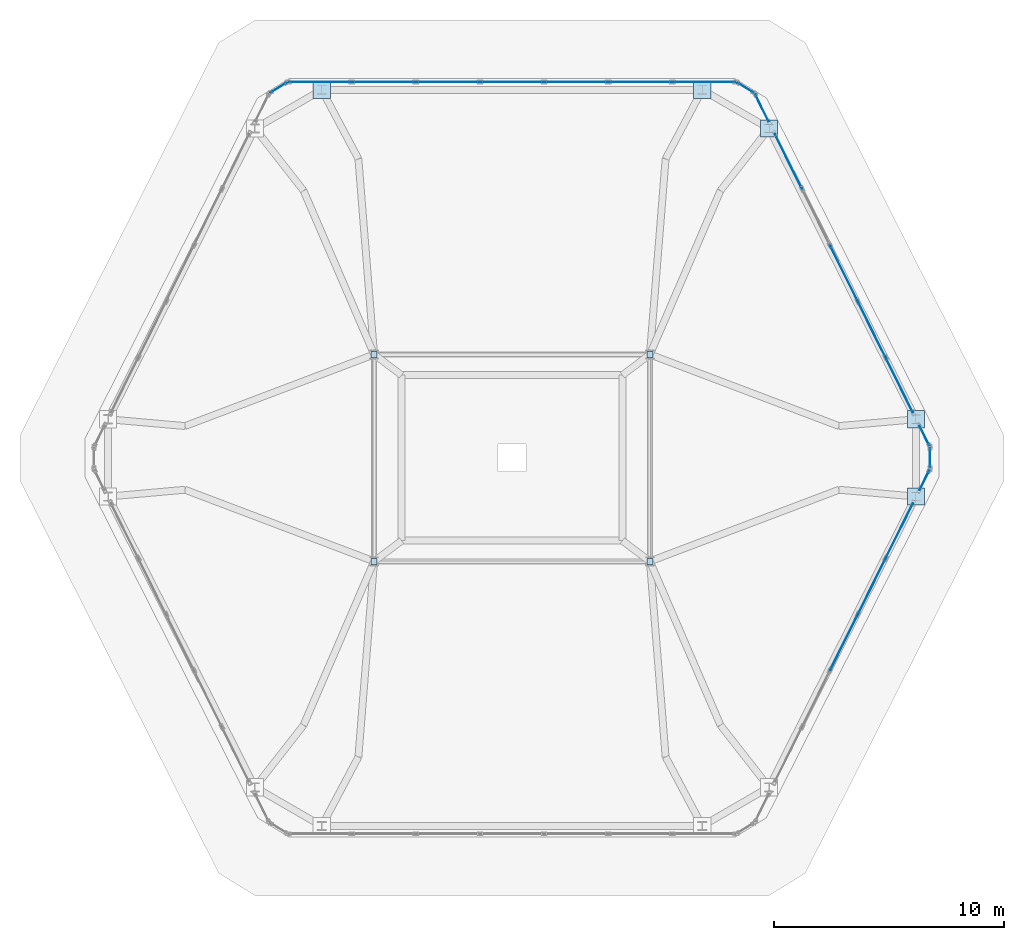
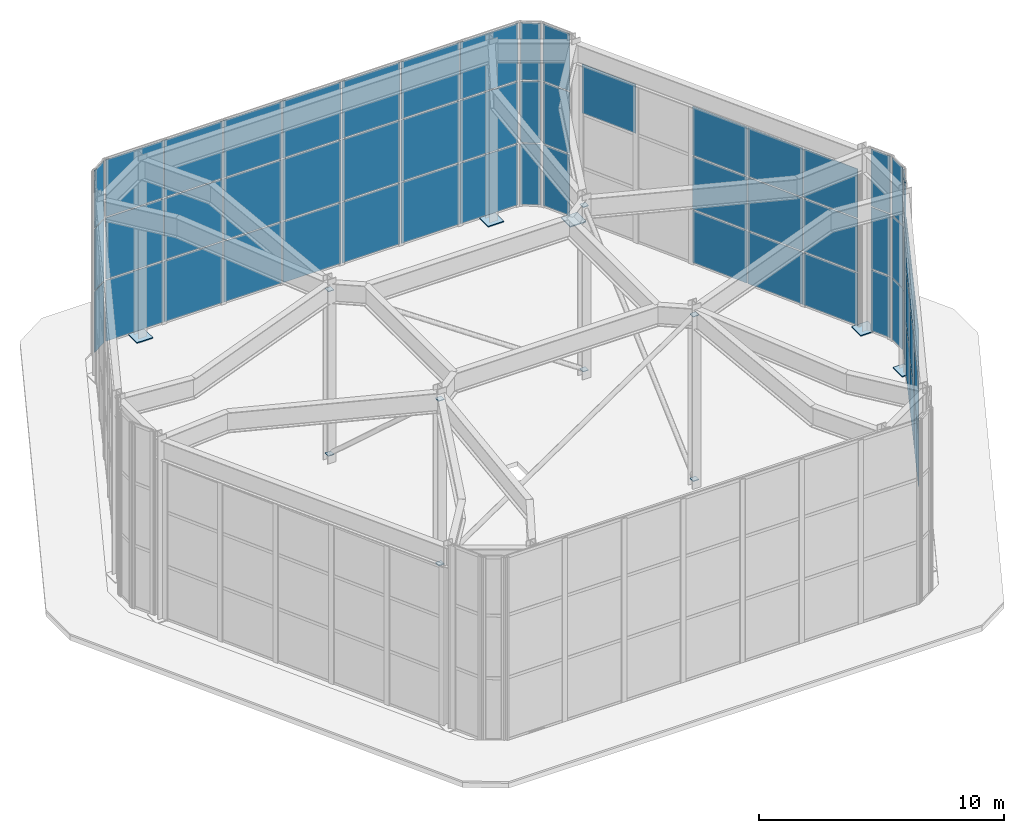
# One storey, part 11 of 12: 71 plates, 9 elements without a shape of their own.
"""IFC4 building model written with IfcOpenShell, lengths in metres."""

from ifc_helpers import new_model, si_unit, direction, frame, origin, origin_2d, place, context, subcontext, project, spatial, rectangle, extrude, material, layer, layer_set, type_object, element, aggregate, save


model = new_model("IFC4")

# Units and contexts
model_context = context("Model", 3, precision=1e-05, world=origin(), true_north=direction((0.0, 1.0)))
body_context = subcontext(model_context, "Body", "Model", "MODEL_VIEW")
ifc_project = project(units=[si_unit("LENGTHUNIT", "METRE"), si_unit("AREAUNIT", "SQUARE_METRE"), si_unit("VOLUMEUNIT", "CUBIC_METRE"), si_unit("PLANEANGLEUNIT", "RADIAN"), si_unit("MASSUNIT", "GRAM", prefix="KILO")], contexts=[model_context])

# Site, building, storey
site_placement = place(None, origin())
site = spatial("IfcSite", under=ifc_project, at=site_placement, CompositionType="ELEMENT")
building_placement = place(site_placement, origin())
building = spatial("IfcBuilding", under=site, at=building_placement, Name="Cinnabar Lancet Tower", CompositionType="ELEMENT")
storey_placement = place(building_placement, frame((0.0, 0.0, 305.5)))
storey = spatial("IfcBuildingStorey", under=building, at=storey_placement, Name="L80", CompositionType="ELEMENT", Elevation=305.5)

# Curtain wall, plates
ifc_material_1 = material(Name="Thermally broken bronze-anodized aluminium and low-E glass", Category="aluminium")
ifc_layer_1 = layer(ifc_material_1, 0.179931640625)
ifc_layer_set_1 = layer_set([ifc_layer_1], Name="Thermally broken bronze-anodized aluminium and low-E glass")
curtain_wall_type = type_object("IfcCurtainWallType", Name="ENV-CW-SYS-05", PredefinedType="NOTDEFINED", material=ifc_layer_set_1)
curtain_wall_1_placement = place(storey_placement, origin())
curtain_wall_1 = element("IfcCurtainWall", 1, at=curtain_wall_1_placement, inside=storey, type_object=curtain_wall_type, Name="L80 Faceted Lancet Crown Curtain Wall 5", PredefinedType="NOTDEFINED")
ifc_material_2 = material(Name="Acoustic solar-control low-E laminated glass unit", Category="glass")
ifc_layer_2 = layer(ifc_material_2, 0.035888671875)
ifc_layer_set_2 = layer_set([ifc_layer_2], Name="Acoustic solar-control low-E laminated glass unit")
plate_type_1 = type_object("IfcPlateType", Name="ENV-CW-PNL-36", PredefinedType="CURTAIN_PANEL", material=ifc_layer_set_2)
plate_1_placement = place(storey_placement, frame((46.83837890625, 17.76611328125, 0.06005859375), z_axis=(0.0, 0.0, 1.0), x_axis=(0.44415945955, 0.8959477521, 0.0)))
plate_1 = element("IfcPlate", 2, at=plate_1_placement, type_object=plate_type_1, Name="CW-05 panel 3.1", PredefinedType="CURTAIN_PANEL", context=body_context, shape_type="SweptSolid", body=[
    extrude(rectangle(XDim=2.66650390625, YDim=0.028076171875, at=origin_2d()), origin(), (0.0, 0.0, 1.0), 2.60107421875),
])
plate_2_placement = place(storey_placement, frame((46.83837890625, 17.76611328125, 2.72119140625), z_axis=(0.0, 0.0, 1.0), x_axis=(0.44415945955, 0.8959477521, 0.0)))
plate_2 = element("IfcPlate", 3, at=plate_2_placement, type_object=plate_type_1, Name="CW-05 panel 3.2", PredefinedType="CURTAIN_PANEL", context=body_context, shape_type="SweptSolid", body=[
    extrude(rectangle(XDim=2.66650390625, YDim=0.028076171875, at=origin_2d()), origin(), (0.0, 0.0, 1.0), 2.631103515625),
])
plate_3_placement = place(storey_placement, frame((46.83837890625, 17.76611328125, 5.412109375), z_axis=(0.0, 0.0, 1.0), x_axis=(0.44415945955, 0.8959477521, 0.0)))
plate_3 = element("IfcPlate", 4, at=plate_3_placement, type_object=plate_type_1, Name="CW-05 panel 3.3", PredefinedType="CURTAIN_PANEL", context=body_context, shape_type="SweptSolid", body=[
    extrude(rectangle(XDim=2.66650390625, YDim=0.028076171875, at=origin_2d()), origin(), (0.0, 0.0, 1.0), 2.443115234375),
])
plate_4_placement = place(storey_placement, frame((48.049560546875, 20.208740234375, 0.06005859375), z_axis=(0.0, 0.0, 1.0), x_axis=(0.44415945955, 0.8959477521, 0.0)))
plate_4 = element("IfcPlate", 5, at=plate_4_placement, type_object=plate_type_1, Name="CW-05 panel 4.1", PredefinedType="CURTAIN_PANEL", context=body_context, shape_type="SweptSolid", body=[
    extrude(rectangle(XDim=2.66650390625, YDim=0.028076171875, at=origin_2d()), origin(), (0.0, 0.0, 1.0), 2.60107421875),
])
plate_5_placement = place(storey_placement, frame((48.049560546875, 20.208740234375, 2.72119140625), z_axis=(0.0, 0.0, 1.0), x_axis=(0.44415945955, 0.8959477521, 0.0)))
plate_5 = element("IfcPlate", 6, at=plate_5_placement, type_object=plate_type_1, Name="CW-05 panel 4.2", PredefinedType="CURTAIN_PANEL", context=body_context, shape_type="SweptSolid", body=[
    extrude(rectangle(XDim=2.66650390625, YDim=0.028076171875, at=origin_2d()), origin(), (0.0, 0.0, 1.0), 2.631103515625),
])
plate_6_placement = place(storey_placement, frame((48.049560546875, 20.208740234375, 5.412109375), z_axis=(0.0, 0.0, 1.0), x_axis=(0.44415945955, 0.8959477521, 0.0)))
plate_6 = element("IfcPlate", 7, at=plate_6_placement, type_object=plate_type_1, Name="CW-05 panel 4.3", PredefinedType="CURTAIN_PANEL", context=body_context, shape_type="SweptSolid", body=[
    extrude(rectangle(XDim=2.66650390625, YDim=0.028076171875, at=origin_2d()), origin(), (0.0, 0.0, 1.0), 2.443115234375),
])
plate_7_placement = place(storey_placement, frame((49.25390625, 22.63818359375, 0.06005859375), z_axis=(0.0, 0.0, 1.0), x_axis=(0.44415945955, 0.8959477521, 0.0)))
plate_7 = element("IfcPlate", 8, at=plate_7_placement, type_object=plate_type_1, Name="CW-05 panel 5.1", PredefinedType="CURTAIN_PANEL", context=body_context, shape_type="SweptSolid", body=[
    extrude(rectangle(XDim=2.636474609375, YDim=0.028076171875, at=origin_2d()), origin(), (0.0, 0.0, 1.0), 2.60107421875),
])
plate_8_placement = place(storey_placement, frame((49.25390625, 22.63818359375, 2.72119140625), z_axis=(0.0, 0.0, 1.0), x_axis=(0.44415945955, 0.8959477521, 0.0)))
plate_8 = element("IfcPlate", 9, at=plate_8_placement, type_object=plate_type_1, Name="CW-05 panel 5.2", PredefinedType="CURTAIN_PANEL", context=body_context, shape_type="SweptSolid", body=[
    extrude(rectangle(XDim=2.636474609375, YDim=0.028076171875, at=origin_2d()), origin(), (0.0, 0.0, 1.0), 2.631103515625),
])
plate_9_placement = place(storey_placement, frame((49.25390625, 22.63818359375, 5.412109375), z_axis=(0.0, 0.0, 1.0), x_axis=(0.44415945955, 0.8959477521, 0.0)))
plate_9 = element("IfcPlate", 10, at=plate_9_placement, type_object=plate_type_1, Name="CW-05 panel 5.3", PredefinedType="CURTAIN_PANEL", context=body_context, shape_type="SweptSolid", body=[
    extrude(rectangle(XDim=2.636474609375, YDim=0.028076171875, at=origin_2d()), origin(), (0.0, 0.0, 1.0), 2.443115234375),
])
aggregate(curtain_wall_1, [plate_1, plate_2, plate_3, plate_4, plate_5, plate_6, plate_7, plate_8, plate_9])

curtain_wall_2_placement = place(storey_placement, origin())
curtain_wall_2 = element("IfcCurtainWall", 11, at=curtain_wall_2_placement, inside=storey, type_object=curtain_wall_type, Name="L80 Faceted Lancet Crown Curtain Wall 6", PredefinedType="NOTDEFINED")
plate_10_placement = place(storey_placement, frame((50.341064453125, 24.83154296875, 0.06005859375), z_axis=(0.0, 0.0, 1.0), x_axis=(0.444574345971, 0.895741955534, 0.0)))
plate_10 = element("IfcPlate", 12, at=plate_10_placement, type_object=plate_type_1, Name="CW-05 panel 1.1", PredefinedType="CURTAIN_PANEL", context=body_context, shape_type="SweptSolid", body=[
    extrude(rectangle(XDim=0.941650390625, YDim=0.028076171875, at=origin_2d()), origin(), (0.0, 0.0, 1.0), 3.030029296875),
])
plate_11_placement = place(storey_placement, frame((50.341064453125, 24.83154296875, 3.14990234375), z_axis=(0.0, 0.0, 1.0), x_axis=(0.444574345971, 0.895741955534, 0.0)))
plate_11 = element("IfcPlate", 13, at=plate_11_placement, type_object=plate_type_1, Name="CW-05 panel 1.2", PredefinedType="CURTAIN_PANEL", context=body_context, shape_type="SweptSolid", body=[
    extrude(rectangle(XDim=0.941650390625, YDim=0.028076171875, at=origin_2d()), origin(), (0.0, 0.0, 1.0), 3.05908203125),
])
plate_12_placement = place(storey_placement, frame((50.341064453125, 24.83154296875, 6.26904296875), z_axis=(0.0, 0.0, 1.0), x_axis=(0.444574345971, 0.895741955534, 0.0)))
plate_12 = element("IfcPlate", 14, at=plate_12_placement, type_object=plate_type_1, Name="CW-05 panel 1.3", PredefinedType="CURTAIN_PANEL", context=body_context, shape_type="SweptSolid", body=[
    extrude(rectangle(XDim=0.941650390625, YDim=0.028076171875, at=origin_2d()), origin(), (0.0, 0.0, 1.0), 2.845947265625),
])
aggregate(curtain_wall_2, [plate_10, plate_11, plate_12])

curtain_wall_3_placement = place(storey_placement, origin())
curtain_wall_3 = element("IfcCurtainWall", 15, at=curtain_wall_3_placement, inside=storey, type_object=curtain_wall_type, Name="L80 Faceted Lancet Crown Curtain Wall 7", PredefinedType="NOTDEFINED")
plate_13_placement = place(storey_placement, frame((50.576904296875, 25.800048828125, 0.06005859375), z_axis=(0.0, 0.0, 1.0), x_axis=(0.0, 1.0, 0.0)))
plate_13 = element("IfcPlate", 16, at=plate_13_placement, type_object=plate_type_1, Name="CW-05 panel 1.1", PredefinedType="CURTAIN_PANEL", context=body_context, shape_type="SweptSolid", body=[
    extrude(rectangle(XDim=0.865966796875, YDim=0.028076171875, at=origin_2d()), origin(), (0.0, 0.0, 1.0), 3.030029296875),
])
plate_14_placement = place(storey_placement, frame((50.576904296875, 25.800048828125, 3.14990234375), z_axis=(0.0, 0.0, 1.0), x_axis=(0.0, 1.0, 0.0)))
plate_14 = element("IfcPlate", 17, at=plate_14_placement, type_object=plate_type_1, Name="CW-05 panel 1.2", PredefinedType="CURTAIN_PANEL", context=body_context, shape_type="SweptSolid", body=[
    extrude(rectangle(XDim=0.865966796875, YDim=0.028076171875, at=origin_2d()), origin(), (0.0, 0.0, 1.0), 3.05908203125),
])
plate_15_placement = place(storey_placement, frame((50.576904296875, 25.800048828125, 6.26904296875), z_axis=(0.0, 0.0, 1.0), x_axis=(0.0, 1.0, 0.0)))
plate_15 = element("IfcPlate", 18, at=plate_15_placement, type_object=plate_type_1, Name="CW-05 panel 1.3", PredefinedType="CURTAIN_PANEL", context=body_context, shape_type="SweptSolid", body=[
    extrude(rectangle(XDim=0.865966796875, YDim=0.028076171875, at=origin_2d()), origin(), (0.0, 0.0, 1.0), 2.845947265625),
])
aggregate(curtain_wall_3, [plate_13, plate_14, plate_15])

curtain_wall_4_placement = place(storey_placement, origin())
curtain_wall_4 = element("IfcCurtainWall", 19, at=curtain_wall_4_placement, inside=storey, type_object=curtain_wall_type, Name="L80 Faceted Lancet Crown Curtain Wall 8", PredefinedType="NOTDEFINED")
plate_16_placement = place(storey_placement, frame((50.341064453125, 26.7685546875, 0.06005859375), z_axis=(0.0, 0.0, 1.0), x_axis=(-0.444574345971, 0.895741955534, 0.0)))
plate_16 = element("IfcPlate", 20, at=plate_16_placement, type_object=plate_type_1, Name="CW-05 panel 1.1", PredefinedType="CURTAIN_PANEL", context=body_context, shape_type="SweptSolid", body=[
    extrude(rectangle(XDim=0.941650390625, YDim=0.028076171875, at=origin_2d()), origin(), (0.0, 0.0, 1.0), 3.030029296875),
])
plate_17_placement = place(storey_placement, frame((50.341064453125, 26.7685546875, 3.14990234375), z_axis=(0.0, 0.0, 1.0), x_axis=(-0.444574345971, 0.895741955534, 0.0)))
plate_17 = element("IfcPlate", 21, at=plate_17_placement, type_object=plate_type_1, Name="CW-05 panel 1.2", PredefinedType="CURTAIN_PANEL", context=body_context, shape_type="SweptSolid", body=[
    extrude(rectangle(XDim=0.941650390625, YDim=0.028076171875, at=origin_2d()), origin(), (0.0, 0.0, 1.0), 3.05908203125),
])
plate_18_placement = place(storey_placement, frame((50.341064453125, 26.7685546875, 6.26904296875), z_axis=(0.0, 0.0, 1.0), x_axis=(-0.444574345971, 0.895741955534, 0.0)))
plate_18 = element("IfcPlate", 22, at=plate_18_placement, type_object=plate_type_1, Name="CW-05 panel 1.3", PredefinedType="CURTAIN_PANEL", context=body_context, shape_type="SweptSolid", body=[
    extrude(rectangle(XDim=0.941650390625, YDim=0.028076171875, at=origin_2d()), origin(), (0.0, 0.0, 1.0), 2.845947265625),
])
aggregate(curtain_wall_4, [plate_16, plate_17, plate_18])

curtain_wall_5_placement = place(storey_placement, origin())
curtain_wall_5 = element("IfcCurtainWall", 23, at=curtain_wall_5_placement, inside=storey, type_object=curtain_wall_type, Name="L80 Faceted Lancet Crown Curtain Wall 9", PredefinedType="NOTDEFINED")
plate_19_placement = place(storey_placement, frame((49.25390625, 28.9619140625, 0.06005859375), z_axis=(0.0, 0.0, 1.0), x_axis=(-0.44415945955, 0.8959477521, 0.0)))
plate_19 = element("IfcPlate", 24, at=plate_19_placement, type_object=plate_type_1, Name="CW-05 panel 1.1", PredefinedType="CURTAIN_PANEL", context=body_context, shape_type="SweptSolid", body=[
    extrude(rectangle(XDim=2.636474609375, YDim=0.028076171875, at=origin_2d()), origin(), (0.0, 0.0, 1.0), 2.60107421875),
])
plate_20_placement = place(storey_placement, frame((49.25390625, 28.9619140625, 2.72119140625), z_axis=(0.0, 0.0, 1.0), x_axis=(-0.44415945955, 0.8959477521, 0.0)))
plate_20 = element("IfcPlate", 25, at=plate_20_placement, type_object=plate_type_1, Name="CW-05 panel 1.2", PredefinedType="CURTAIN_PANEL", context=body_context, shape_type="SweptSolid", body=[
    extrude(rectangle(XDim=2.636474609375, YDim=0.028076171875, at=origin_2d()), origin(), (0.0, 0.0, 1.0), 2.631103515625),
])
plate_21_placement = place(storey_placement, frame((49.25390625, 28.9619140625, 5.412109375), z_axis=(0.0, 0.0, 1.0), x_axis=(-0.44415945955, 0.8959477521, 0.0)))
plate_21 = element("IfcPlate", 26, at=plate_21_placement, type_object=plate_type_1, Name="CW-05 panel 1.3", PredefinedType="CURTAIN_PANEL", context=body_context, shape_type="SweptSolid", body=[
    extrude(rectangle(XDim=2.636474609375, YDim=0.028076171875, at=origin_2d()), origin(), (0.0, 0.0, 1.0), 2.443115234375),
])
plate_22_placement = place(storey_placement, frame((48.049560546875, 31.39111328125, 0.06005859375), z_axis=(0.0, 0.0, 1.0), x_axis=(-0.44415945955, 0.8959477521, 0.0)))
plate_22 = element("IfcPlate", 27, at=plate_22_placement, type_object=plate_type_1, Name="CW-05 panel 2.1", PredefinedType="CURTAIN_PANEL", context=body_context, shape_type="SweptSolid", body=[
    extrude(rectangle(XDim=2.66650390625, YDim=0.028076171875, at=origin_2d()), origin(), (0.0, 0.0, 1.0), 2.60107421875),
])
plate_23_placement = place(storey_placement, frame((48.049560546875, 31.39111328125, 2.72119140625), z_axis=(0.0, 0.0, 1.0), x_axis=(-0.44415945955, 0.8959477521, 0.0)))
plate_23 = element("IfcPlate", 28, at=plate_23_placement, type_object=plate_type_1, Name="CW-05 panel 2.2", PredefinedType="CURTAIN_PANEL", context=body_context, shape_type="SweptSolid", body=[
    extrude(rectangle(XDim=2.66650390625, YDim=0.028076171875, at=origin_2d()), origin(), (0.0, 0.0, 1.0), 2.631103515625),
])
plate_24_placement = place(storey_placement, frame((48.049560546875, 31.39111328125, 5.412109375), z_axis=(0.0, 0.0, 1.0), x_axis=(-0.44415945955, 0.8959477521, 0.0)))
plate_24 = element("IfcPlate", 29, at=plate_24_placement, type_object=plate_type_1, Name="CW-05 panel 2.3", PredefinedType="CURTAIN_PANEL", context=body_context, shape_type="SweptSolid", body=[
    extrude(rectangle(XDim=2.66650390625, YDim=0.028076171875, at=origin_2d()), origin(), (0.0, 0.0, 1.0), 2.443115234375),
])
plate_25_placement = place(storey_placement, frame((46.83837890625, 33.833984375, 0.06005859375), z_axis=(0.0, 0.0, 1.0), x_axis=(-0.44415945955, 0.8959477521, 0.0)))
plate_25 = element("IfcPlate", 30, at=plate_25_placement, type_object=plate_type_1, Name="CW-05 panel 3.1", PredefinedType="CURTAIN_PANEL", context=body_context, shape_type="SweptSolid", body=[
    extrude(rectangle(XDim=2.66650390625, YDim=0.028076171875, at=origin_2d()), origin(), (0.0, 0.0, 1.0), 2.60107421875),
])
plate_26_placement = place(storey_placement, frame((46.83837890625, 33.833984375, 2.72119140625), z_axis=(0.0, 0.0, 1.0), x_axis=(-0.44415945955, 0.8959477521, 0.0)))
plate_26 = element("IfcPlate", 31, at=plate_26_placement, type_object=plate_type_1, Name="CW-05 panel 3.2", PredefinedType="CURTAIN_PANEL", context=body_context, shape_type="SweptSolid", body=[
    extrude(rectangle(XDim=2.66650390625, YDim=0.028076171875, at=origin_2d()), origin(), (0.0, 0.0, 1.0), 2.631103515625),
])
plate_27_placement = place(storey_placement, frame((46.83837890625, 33.833984375, 5.412109375), z_axis=(0.0, 0.0, 1.0), x_axis=(-0.44415945955, 0.8959477521, 0.0)))
plate_27 = element("IfcPlate", 32, at=plate_27_placement, type_object=plate_type_1, Name="CW-05 panel 3.3", PredefinedType="CURTAIN_PANEL", context=body_context, shape_type="SweptSolid", body=[
    extrude(rectangle(XDim=2.66650390625, YDim=0.028076171875, at=origin_2d()), origin(), (0.0, 0.0, 1.0), 2.443115234375),
])
plate_28_placement = place(storey_placement, frame((44.423095703125, 38.7060546875, 5.412109375), z_axis=(0.0, 0.0, 1.0), x_axis=(-0.44415945955, 0.8959477521, 0.0)))
plate_28 = element("IfcPlate", 33, at=plate_28_placement, type_object=plate_type_1, Name="CW-05 panel 5.3", PredefinedType="CURTAIN_PANEL", context=body_context, shape_type="SweptSolid", body=[
    extrude(rectangle(XDim=2.636474609375, YDim=0.028076171875, at=origin_2d()), origin(), (0.0, 0.0, 1.0), 2.443115234375),
])
aggregate(curtain_wall_5, [plate_19, plate_20, plate_21, plate_22, plate_23, plate_24, plate_25, plate_26, plate_27, plate_28])

curtain_wall_6_placement = place(storey_placement, origin())
curtain_wall_6 = element("IfcCurtainWall", 34, at=curtain_wall_6_placement, inside=storey, type_object=curtain_wall_type, Name="L80 Faceted Lancet Crown Curtain Wall 10", PredefinedType="NOTDEFINED")
plate_29_placement = place(storey_placement, frame((43.278076171875, 41.01611328125, 0.06005859375), z_axis=(0.0, 0.0, 1.0), x_axis=(-0.444416340533, 0.895820359373, 0.0)))
plate_29 = element("IfcPlate", 35, at=plate_29_placement, type_object=plate_type_1, Name="CW-05 panel 1.1", PredefinedType="CURTAIN_PANEL", context=body_context, shape_type="SweptSolid", body=[
    extrude(rectangle(XDim=1.31103515625, YDim=0.028076171875, at=origin_2d()), origin(), (0.0, 0.0, 1.0), 3.030029296875),
])
plate_30_placement = place(storey_placement, frame((43.278076171875, 41.01611328125, 3.14990234375), z_axis=(0.0, 0.0, 1.0), x_axis=(-0.444416340533, 0.895820359373, 0.0)))
plate_30 = element("IfcPlate", 36, at=plate_30_placement, type_object=plate_type_1, Name="CW-05 panel 1.2", PredefinedType="CURTAIN_PANEL", context=body_context, shape_type="SweptSolid", body=[
    extrude(rectangle(XDim=1.31103515625, YDim=0.028076171875, at=origin_2d()), origin(), (0.0, 0.0, 1.0), 3.05908203125),
])
plate_31_placement = place(storey_placement, frame((43.278076171875, 41.01611328125, 6.26904296875), z_axis=(0.0, 0.0, 1.0), x_axis=(-0.444416340533, 0.895820359373, 0.0)))
plate_31 = element("IfcPlate", 37, at=plate_31_placement, type_object=plate_type_1, Name="CW-05 panel 1.3", PredefinedType="CURTAIN_PANEL", context=body_context, shape_type="SweptSolid", body=[
    extrude(rectangle(XDim=1.31103515625, YDim=0.028076171875, at=origin_2d()), origin(), (0.0, 0.0, 1.0), 2.845947265625),
])
aggregate(curtain_wall_6, [plate_29, plate_30, plate_31])

curtain_wall_7_placement = place(storey_placement, origin())
curtain_wall_7 = element("IfcCurtainWall", 38, at=curtain_wall_7_placement, inside=storey, type_object=curtain_wall_type, Name="L80 Faceted Lancet Crown Curtain Wall 11", PredefinedType="NOTDEFINED")
plate_32_placement = place(storey_placement, frame((42.56298828125, 41.903564453125, 0.06005859375), z_axis=(0.0, 0.0, 1.0), x_axis=(-0.849557497009, 0.527496027734, 0.0)))
plate_32 = element("IfcPlate", 39, at=plate_32_placement, type_object=plate_type_1, Name="CW-05 panel 1.1", PredefinedType="CURTAIN_PANEL", context=body_context, shape_type="SweptSolid", body=[
    extrude(rectangle(XDim=0.814697265625, YDim=0.028076171875, at=origin_2d()), origin(), (0.0, 0.0, 1.0), 3.030029296875),
])
plate_33_placement = place(storey_placement, frame((42.56298828125, 41.903564453125, 3.14990234375), z_axis=(0.0, 0.0, 1.0), x_axis=(-0.849557497009, 0.527496027734, 0.0)))
plate_33 = element("IfcPlate", 40, at=plate_33_placement, type_object=plate_type_1, Name="CW-05 panel 1.2", PredefinedType="CURTAIN_PANEL", context=body_context, shape_type="SweptSolid", body=[
    extrude(rectangle(XDim=0.814697265625, YDim=0.028076171875, at=origin_2d()), origin(), (0.0, 0.0, 1.0), 3.05908203125),
])
plate_34_placement = place(storey_placement, frame((42.56298828125, 41.903564453125, 6.26904296875), z_axis=(0.0, 0.0, 1.0), x_axis=(-0.849557497009, 0.527496027734, 0.0)))
plate_34 = element("IfcPlate", 41, at=plate_34_placement, type_object=plate_type_1, Name="CW-05 panel 1.3", PredefinedType="CURTAIN_PANEL", context=body_context, shape_type="SweptSolid", body=[
    extrude(rectangle(XDim=0.814697265625, YDim=0.028076171875, at=origin_2d()), origin(), (0.0, 0.0, 1.0), 2.845947265625),
])
aggregate(curtain_wall_7, [plate_32, plate_33, plate_34])

curtain_wall_8_placement = place(storey_placement, origin())
curtain_wall_8 = element("IfcCurtainWall", 42, at=curtain_wall_8_placement, inside=storey, type_object=curtain_wall_type, Name="L80 Faceted Lancet Crown Curtain Wall 12", PredefinedType="NOTDEFINED")
plate_35_placement = place(storey_placement, frame((40.755859375, 42.14990234375, 0.06005859375), z_axis=(0.0, 0.0, 1.0), x_axis=(-1.0, 0.0, 0.0)))
plate_35 = element("IfcPlate", 43, at=plate_35_placement, type_object=plate_type_1, Name="CW-05 panel 1.1", PredefinedType="CURTAIN_PANEL", context=body_context, shape_type="SweptSolid", body=[
    extrude(rectangle(XDim=2.7001953125, YDim=0.028076171875, at=origin_2d()), origin(), (0.0, 0.0, 1.0), 3.030029296875),
])
plate_36_placement = place(storey_placement, frame((40.755859375, 42.14990234375, 3.14990234375), z_axis=(0.0, 0.0, 1.0), x_axis=(-1.0, 0.0, 0.0)))
plate_36 = element("IfcPlate", 44, at=plate_36_placement, type_object=plate_type_1, Name="CW-05 panel 1.2", PredefinedType="CURTAIN_PANEL", context=body_context, shape_type="SweptSolid", body=[
    extrude(rectangle(XDim=2.7001953125, YDim=0.028076171875, at=origin_2d()), origin(), (0.0, 0.0, 1.0), 3.05908203125),
])
plate_37_placement = place(storey_placement, frame((40.755859375, 42.14990234375, 6.26904296875), z_axis=(0.0, 0.0, 1.0), x_axis=(-1.0, 0.0, 0.0)))
plate_37 = element("IfcPlate", 45, at=plate_37_placement, type_object=plate_type_1, Name="CW-05 panel 1.3", PredefinedType="CURTAIN_PANEL", context=body_context, shape_type="SweptSolid", body=[
    extrude(rectangle(XDim=2.7001953125, YDim=0.028076171875, at=origin_2d()), origin(), (0.0, 0.0, 1.0), 2.845947265625),
])
plate_38_placement = place(storey_placement, frame((37.98046875, 42.14990234375, 0.06005859375), z_axis=(0.0, 0.0, 1.0), x_axis=(-1.0, 0.0, 0.0)))
plate_38 = element("IfcPlate", 46, at=plate_38_placement, type_object=plate_type_1, Name="CW-05 panel 2.1", PredefinedType="CURTAIN_PANEL", context=body_context, shape_type="SweptSolid", body=[
    extrude(rectangle(XDim=2.730224609375, YDim=0.028076171875, at=origin_2d()), origin(), (0.0, 0.0, 1.0), 3.030029296875),
])
plate_39_placement = place(storey_placement, frame((37.98046875, 42.14990234375, 3.14990234375), z_axis=(0.0, 0.0, 1.0), x_axis=(-1.0, 0.0, 0.0)))
plate_39 = element("IfcPlate", 47, at=plate_39_placement, type_object=plate_type_1, Name="CW-05 panel 2.2", PredefinedType="CURTAIN_PANEL", context=body_context, shape_type="SweptSolid", body=[
    extrude(rectangle(XDim=2.730224609375, YDim=0.028076171875, at=origin_2d()), origin(), (0.0, 0.0, 1.0), 3.05908203125),
])
plate_40_placement = place(storey_placement, frame((37.98046875, 42.14990234375, 6.26904296875), z_axis=(0.0, 0.0, 1.0), x_axis=(-1.0, 0.0, 0.0)))
plate_40 = element("IfcPlate", 48, at=plate_40_placement, type_object=plate_type_1, Name="CW-05 panel 2.3", PredefinedType="CURTAIN_PANEL", context=body_context, shape_type="SweptSolid", body=[
    extrude(rectangle(XDim=2.730224609375, YDim=0.028076171875, at=origin_2d()), origin(), (0.0, 0.0, 1.0), 2.845947265625),
])
plate_41_placement = place(storey_placement, frame((35.190185546875, 42.14990234375, 0.06005859375), z_axis=(0.0, 0.0, 1.0), x_axis=(-1.0, 0.0, 0.0)))
plate_41 = element("IfcPlate", 49, at=plate_41_placement, type_object=plate_type_1, Name="CW-05 panel 3.1", PredefinedType="CURTAIN_PANEL", context=body_context, shape_type="SweptSolid", body=[
    extrude(rectangle(XDim=2.730224609375, YDim=0.028076171875, at=origin_2d()), origin(), (0.0, 0.0, 1.0), 3.030029296875),
])
plate_42_placement = place(storey_placement, frame((35.190185546875, 42.14990234375, 3.14990234375), z_axis=(0.0, 0.0, 1.0), x_axis=(-1.0, 0.0, 0.0)))
plate_42 = element("IfcPlate", 50, at=plate_42_placement, type_object=plate_type_1, Name="CW-05 panel 3.2", PredefinedType="CURTAIN_PANEL", context=body_context, shape_type="SweptSolid", body=[
    extrude(rectangle(XDim=2.730224609375, YDim=0.028076171875, at=origin_2d()), origin(), (0.0, 0.0, 1.0), 3.05908203125),
])
plate_43_placement = place(storey_placement, frame((35.190185546875, 42.14990234375, 6.26904296875), z_axis=(0.0, 0.0, 1.0), x_axis=(-1.0, 0.0, 0.0)))
plate_43 = element("IfcPlate", 51, at=plate_43_placement, type_object=plate_type_1, Name="CW-05 panel 3.3", PredefinedType="CURTAIN_PANEL", context=body_context, shape_type="SweptSolid", body=[
    extrude(rectangle(XDim=2.730224609375, YDim=0.028076171875, at=origin_2d()), origin(), (0.0, 0.0, 1.0), 2.845947265625),
])
plate_44_placement = place(storey_placement, frame((32.39990234375, 42.14990234375, 0.06005859375), z_axis=(0.0, 0.0, 1.0), x_axis=(-1.0, 0.0, 0.0)))
plate_44 = element("IfcPlate", 52, at=plate_44_placement, type_object=plate_type_1, Name="CW-05 panel 4.1", PredefinedType="CURTAIN_PANEL", context=body_context, shape_type="SweptSolid", body=[
    extrude(rectangle(XDim=2.730224609375, YDim=0.028076171875, at=origin_2d()), origin(), (0.0, 0.0, 1.0), 3.030029296875),
])
plate_45_placement = place(storey_placement, frame((32.39990234375, 42.14990234375, 3.14990234375), z_axis=(0.0, 0.0, 1.0), x_axis=(-1.0, 0.0, 0.0)))
plate_45 = element("IfcPlate", 53, at=plate_45_placement, type_object=plate_type_1, Name="CW-05 panel 4.2", PredefinedType="CURTAIN_PANEL", context=body_context, shape_type="SweptSolid", body=[
    extrude(rectangle(XDim=2.730224609375, YDim=0.028076171875, at=origin_2d()), origin(), (0.0, 0.0, 1.0), 3.05908203125),
])
plate_46_placement = place(storey_placement, frame((32.39990234375, 42.14990234375, 6.26904296875), z_axis=(0.0, 0.0, 1.0), x_axis=(-1.0, 0.0, 0.0)))
plate_46 = element("IfcPlate", 54, at=plate_46_placement, type_object=plate_type_1, Name="CW-05 panel 4.3", PredefinedType="CURTAIN_PANEL", context=body_context, shape_type="SweptSolid", body=[
    extrude(rectangle(XDim=2.730224609375, YDim=0.028076171875, at=origin_2d()), origin(), (0.0, 0.0, 1.0), 2.845947265625),
])
plate_47_placement = place(storey_placement, frame((29.609619140625, 42.14990234375, 0.06005859375), z_axis=(0.0, 0.0, 1.0), x_axis=(-1.0, 0.0, 0.0)))
plate_47 = element("IfcPlate", 55, at=plate_47_placement, type_object=plate_type_1, Name="CW-05 panel 5.1", PredefinedType="CURTAIN_PANEL", context=body_context, shape_type="SweptSolid", body=[
    extrude(rectangle(XDim=2.730224609375, YDim=0.028076171875, at=origin_2d()), origin(), (0.0, 0.0, 1.0), 3.030029296875),
])
plate_48_placement = place(storey_placement, frame((29.609619140625, 42.14990234375, 3.14990234375), z_axis=(0.0, 0.0, 1.0), x_axis=(-1.0, 0.0, 0.0)))
plate_48 = element("IfcPlate", 56, at=plate_48_placement, type_object=plate_type_1, Name="CW-05 panel 5.2", PredefinedType="CURTAIN_PANEL", context=body_context, shape_type="SweptSolid", body=[
    extrude(rectangle(XDim=2.730224609375, YDim=0.028076171875, at=origin_2d()), origin(), (0.0, 0.0, 1.0), 3.05908203125),
])
plate_49_placement = place(storey_placement, frame((29.609619140625, 42.14990234375, 6.26904296875), z_axis=(0.0, 0.0, 1.0), x_axis=(-1.0, 0.0, 0.0)))
plate_49 = element("IfcPlate", 57, at=plate_49_placement, type_object=plate_type_1, Name="CW-05 panel 5.3", PredefinedType="CURTAIN_PANEL", context=body_context, shape_type="SweptSolid", body=[
    extrude(rectangle(XDim=2.730224609375, YDim=0.028076171875, at=origin_2d()), origin(), (0.0, 0.0, 1.0), 2.845947265625),
])
plate_50_placement = place(storey_placement, frame((26.8193359375, 42.14990234375, 0.06005859375), z_axis=(0.0, 0.0, 1.0), x_axis=(-1.0, 0.0, 0.0)))
plate_50 = element("IfcPlate", 58, at=plate_50_placement, type_object=plate_type_1, Name="CW-05 panel 6.1", PredefinedType="CURTAIN_PANEL", context=body_context, shape_type="SweptSolid", body=[
    extrude(rectangle(XDim=2.730224609375, YDim=0.028076171875, at=origin_2d()), origin(), (0.0, 0.0, 1.0), 3.030029296875),
])
plate_51_placement = place(storey_placement, frame((26.8193359375, 42.14990234375, 3.14990234375), z_axis=(0.0, 0.0, 1.0), x_axis=(-1.0, 0.0, 0.0)))
plate_51 = element("IfcPlate", 59, at=plate_51_placement, type_object=plate_type_1, Name="CW-05 panel 6.2", PredefinedType="CURTAIN_PANEL", context=body_context, shape_type="SweptSolid", body=[
    extrude(rectangle(XDim=2.730224609375, YDim=0.028076171875, at=origin_2d()), origin(), (0.0, 0.0, 1.0), 3.05908203125),
])
plate_52_placement = place(storey_placement, frame((26.8193359375, 42.14990234375, 6.26904296875), z_axis=(0.0, 0.0, 1.0), x_axis=(-1.0, 0.0, 0.0)))
plate_52 = element("IfcPlate", 60, at=plate_52_placement, type_object=plate_type_1, Name="CW-05 panel 6.3", PredefinedType="CURTAIN_PANEL", context=body_context, shape_type="SweptSolid", body=[
    extrude(rectangle(XDim=2.730224609375, YDim=0.028076171875, at=origin_2d()), origin(), (0.0, 0.0, 1.0), 2.845947265625),
])
plate_53_placement = place(storey_placement, frame((24.044189453125, 42.14990234375, 0.06005859375), z_axis=(0.0, 0.0, 1.0), x_axis=(-1.0, 0.0, 0.0)))
plate_53 = element("IfcPlate", 61, at=plate_53_placement, type_object=plate_type_1, Name="CW-05 panel 7.1", PredefinedType="CURTAIN_PANEL", context=body_context, shape_type="SweptSolid", body=[
    extrude(rectangle(XDim=2.7001953125, YDim=0.028076171875, at=origin_2d()), origin(), (0.0, 0.0, 1.0), 3.030029296875),
])
plate_54_placement = place(storey_placement, frame((24.044189453125, 42.14990234375, 3.14990234375), z_axis=(0.0, 0.0, 1.0), x_axis=(-1.0, 0.0, 0.0)))
plate_54 = element("IfcPlate", 62, at=plate_54_placement, type_object=plate_type_1, Name="CW-05 panel 7.2", PredefinedType="CURTAIN_PANEL", context=body_context, shape_type="SweptSolid", body=[
    extrude(rectangle(XDim=2.7001953125, YDim=0.028076171875, at=origin_2d()), origin(), (0.0, 0.0, 1.0), 3.05908203125),
])
plate_55_placement = place(storey_placement, frame((24.044189453125, 42.14990234375, 6.26904296875), z_axis=(0.0, 0.0, 1.0), x_axis=(-1.0, 0.0, 0.0)))
plate_55 = element("IfcPlate", 63, at=plate_55_placement, type_object=plate_type_1, Name="CW-05 panel 7.3", PredefinedType="CURTAIN_PANEL", context=body_context, shape_type="SweptSolid", body=[
    extrude(rectangle(XDim=2.7001953125, YDim=0.028076171875, at=origin_2d()), origin(), (0.0, 0.0, 1.0), 2.845947265625),
])
aggregate(curtain_wall_8, [plate_35, plate_36, plate_37, plate_38, plate_39, plate_40, plate_41, plate_42, plate_43, plate_44, plate_45, plate_46, plate_47, plate_48, plate_49, plate_50, plate_51, plate_52, plate_53, plate_54, plate_55])

curtain_wall_9_placement = place(storey_placement, origin())
curtain_wall_9 = element("IfcCurtainWall", 64, at=curtain_wall_9_placement, inside=storey, type_object=curtain_wall_type, Name="L80 Faceted Lancet Crown Curtain Wall 13", PredefinedType="NOTDEFINED")
plate_56_placement = place(storey_placement, frame((22.237060546875, 41.903564453125, 0.06005859375), z_axis=(0.0, 0.0, 1.0), x_axis=(-0.849557497009, -0.527496027734, 0.0)))
plate_56 = element("IfcPlate", 65, at=plate_56_placement, type_object=plate_type_1, Name="CW-05 panel 1.1", PredefinedType="CURTAIN_PANEL", context=body_context, shape_type="SweptSolid", body=[
    extrude(rectangle(XDim=0.814697265625, YDim=0.028076171875, at=origin_2d()), origin(), (0.0, 0.0, 1.0), 3.030029296875),
])
plate_57_placement = place(storey_placement, frame((22.237060546875, 41.903564453125, 3.14990234375), z_axis=(0.0, 0.0, 1.0), x_axis=(-0.849557497009, -0.527496027734, 0.0)))
plate_57 = element("IfcPlate", 66, at=plate_57_placement, type_object=plate_type_1, Name="CW-05 panel 1.2", PredefinedType="CURTAIN_PANEL", context=body_context, shape_type="SweptSolid", body=[
    extrude(rectangle(XDim=0.814697265625, YDim=0.028076171875, at=origin_2d()), origin(), (0.0, 0.0, 1.0), 3.05908203125),
])
plate_58_placement = place(storey_placement, frame((22.237060546875, 41.903564453125, 6.26904296875), z_axis=(0.0, 0.0, 1.0), x_axis=(-0.849557497009, -0.527496027734, 0.0)))
plate_58 = element("IfcPlate", 67, at=plate_58_placement, type_object=plate_type_1, Name="CW-05 panel 1.3", PredefinedType="CURTAIN_PANEL", context=body_context, shape_type="SweptSolid", body=[
    extrude(rectangle(XDim=0.814697265625, YDim=0.028076171875, at=origin_2d()), origin(), (0.0, 0.0, 1.0), 2.845947265625),
])
aggregate(curtain_wall_9, [plate_56, plate_57, plate_58])

# Plates
ifc_material_3 = material(Name="Structural steel S460", Category="steel")
ifc_layer_3 = layer(ifc_material_3, 0.050048828125)
ifc_layer_set_3 = layer_set([ifc_layer_3], Name="Structural steel S460")
plate_type_2 = type_object("IfcPlateType", Name="STR-PL-BASE-50", PredefinedType="SHEET", material=ifc_layer_set_3)
for number, where, z_axis, x_axis, name in (
    (68, (49.972900390625, 24.116943359375, 0.0), (0.0, 0.0, 1.0), (1.0, 0.0, 0.0), "L80 Crown Column Base Plate 4"),
    (69, (49.972900390625, 27.48291015625, 0.0), (0.0, 0.0, 1.0), (1.0, 0.0, 0.0), "L80 Crown Column Base Plate 5"),
    (70, (43.5810546875, 40.131103515625, 0.0), (0.0, 0.0, 1.0), (1.0, 0.0, 0.0), "L80 Crown Column Base Plate 6"),
    (71, (40.675048828125, 41.81103515625, 0.0), (0.0, 0.0, 1.0), (1.0, 0.0, 0.0), "L80 Crown Column Base Plate 7"),
    (72, (24.125, 41.81103515625, 0.0), (0.0, 0.0, 1.0), (1.0, 0.0, 0.0), "L80 Crown Column Base Plate 8"),
):
    element("IfcPlate", number, at=place(storey_placement, frame(where, z_axis=z_axis, x_axis=x_axis)), inside=storey, type_object=plate_type_2, Name=name, PredefinedType="SHEET", context=body_context, shape_type="SweptSolid", body=[
        extrude(rectangle(XDim=0.75, YDim=0.75, at=origin_2d()), origin(), (0.0, 0.0, 1.0), 0.050048828125),
    ])
ifc_material_4 = material(Name="Structural steel S460", Category="steel")
ifc_layer_4 = layer(ifc_material_4, 0.030029296875)
ifc_layer_set_4 = layer_set([ifc_layer_4], Name="Structural steel S460")
plate_type_3 = type_object("IfcPlateType", Name="STR-PL-CAP-25", PredefinedType="SHEET", material=ifc_layer_set_4)
for number, where, z_axis, x_axis, name in (
    (73, (26.39990234375, 21.300048828125, 0.3251953125), (0.0, 0.0, 1.0), (-1.0, 0.0, 0.0), "Hollow section end cap plate CP-CRNBRC-L80-1A"),
    (74, (38.39990234375, 21.300048828125, 8.52001953125), (0.0, 0.0, 1.0), (1.0, 0.0, 0.0), "Hollow section end cap plate CP-CRNBRC-L80-1B"),
    (75, (38.39990234375, 21.300048828125, 0.3251953125), (0.0, 0.0, 1.0), (0.0, -1.0, 0.0), "Hollow section end cap plate CP-CRNBRC-L80-2A"),
    (76, (38.39990234375, 30.300048828125, 8.52001953125), (0.0, 0.0, 1.0), (0.0, 1.0, 0.0), "Hollow section end cap plate CP-CRNBRC-L80-2B"),
    (77, (38.39990234375, 30.300048828125, 0.3251953125), (0.0, 0.0, 1.0), (1.0, 0.0, 0.0), "Hollow section end cap plate CP-CRNBRC-L80-3A"),
    (78, (26.39990234375, 30.300048828125, 8.52001953125), (0.0, 0.0, 1.0), (-1.0, 0.0, 0.0), "Hollow section end cap plate CP-CRNBRC-L80-3B"),
    (79, (26.39990234375, 30.300048828125, 0.3251953125), (0.0, 0.0, 1.0), (0.0, 1.0, 0.0), "Hollow section end cap plate CP-CRNBRC-L80-4A"),
    (80, (26.39990234375, 21.300048828125, 8.52001953125), (0.0, 0.0, 1.0), (0.0, -1.0, 0.0), "Hollow section end cap plate CP-CRNBRC-L80-4B"),
):
    element("IfcPlate", number, at=place(storey_placement, frame(where, z_axis=z_axis, x_axis=x_axis)), inside=storey, type_object=plate_type_3, Name=name, PredefinedType="SHEET", context=body_context, shape_type="SweptSolid", body=[
        extrude(rectangle(XDim=0.27001953125, YDim=0.27001953125, at=origin_2d()), origin(), (0.0, 0.0, 1.0), 0.030029296875),
    ])

save(model, "model.ifc")
